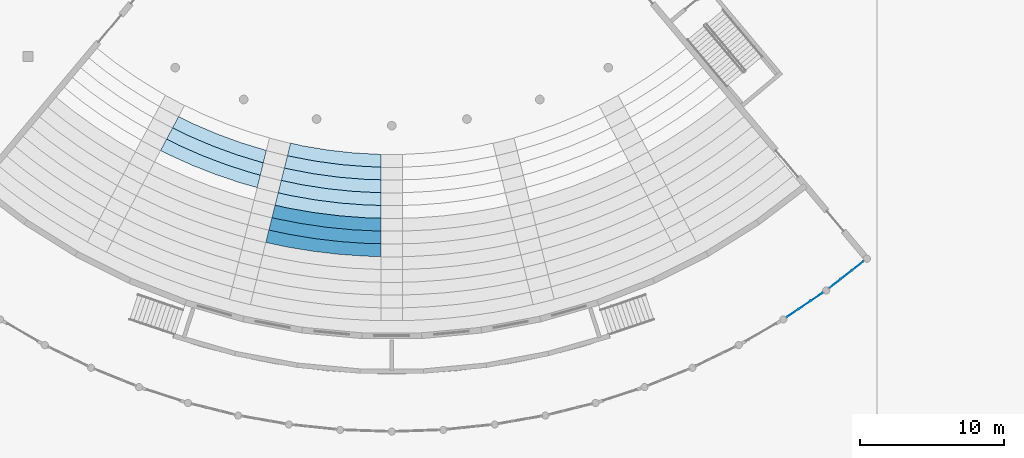
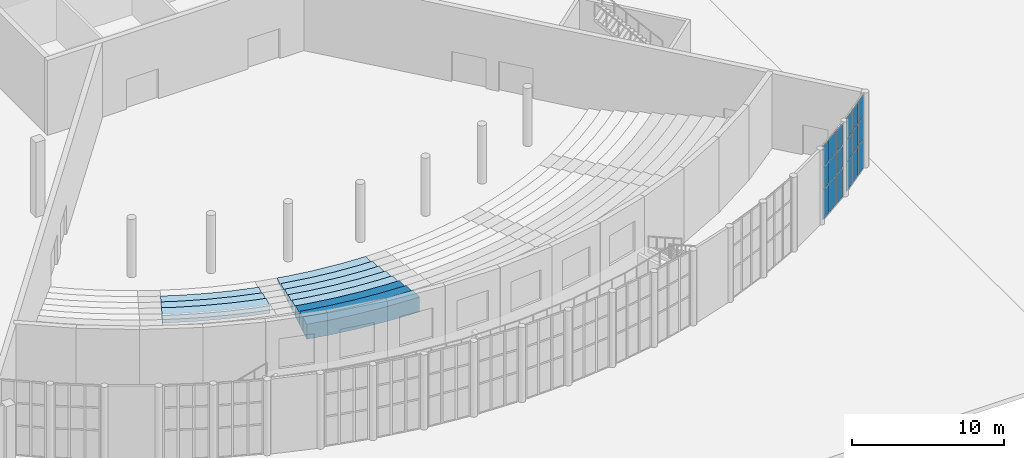
# One storey, part 88 of 210: 18 plates, 11 slabs, 2 elements without a shape of their own.
"""IFC4 building model written with IfcOpenShell, lengths in metres."""

from ifc_helpers import new_model, si_unit, direction, frame, origin, origin_2d, place, context, subcontext, project, spatial, polyline, rectangle, outline, extrude, material, layer, layer_set, type_object, element, aggregate, save


model = new_model("IFC4")

# Units and contexts
model_context = context("Model", 3, precision=1e-05, world=origin(), true_north=direction((0.0, 1.0)))
body_context = subcontext(model_context, "Body", "Model", "MODEL_VIEW")
ifc_project = project(units=[si_unit("LENGTHUNIT", "METRE"), si_unit("AREAUNIT", "SQUARE_METRE"), si_unit("VOLUMEUNIT", "CUBIC_METRE"), si_unit("PLANEANGLEUNIT", "RADIAN"), si_unit("MASSUNIT", "GRAM", prefix="KILO")], contexts=[model_context])

# Site, building, storey
site_placement = place(None, origin())
site = spatial("IfcSite", under=ifc_project, at=site_placement, CompositionType="ELEMENT")
building_placement = place(site_placement, origin())
building = spatial("IfcBuilding", under=site, at=building_placement, Name="Rain Tree Exposition and Congress Centre", CompositionType="ELEMENT")
storey_placement = place(building_placement, origin())
storey = spatial("IfcBuildingStorey", under=building, at=storey_placement, Name="L00", CompositionType="ELEMENT", Elevation=0.0)

# Curtain wall, plates
ifc_material_1 = material(Name="Aluminium", Category="aluminium")
ifc_layer_1 = layer(ifc_material_1, 0.10009765625)
ifc_layer_set_1 = layer_set([ifc_layer_1], Name="Aluminium")
curtain_wall_type = type_object("IfcCurtainWallType", Name="Curtain wall congress", PredefinedType="NOTDEFINED", material=ifc_layer_set_1)
curtain_wall_1_placement = place(storey_placement, origin())
curtain_wall_1 = element("IfcCurtainWall", 1, at=curtain_wall_1_placement, inside=storey, type_object=curtain_wall_type, Name="Curtain wall L00 bay 19", PredefinedType="NOTDEFINED")
ifc_material_2 = material(Name="Double glazed unit", Category="glass")
ifc_layer_2 = layer(ifc_material_2, 0.028076171875)
ifc_layer_set_2 = layer_set([ifc_layer_2], Name="Double glazed unit")
plate_type = type_object("IfcPlateType", Name="Glazing panel 28 congress", PredefinedType="CURTAIN_PANEL", material=ifc_layer_set_2)
plate_1_placement = place(storey_placement, frame((229.376220703125, 24.214599609375, 0.06005859375), z_axis=(0.0, 0.0, 1.0), x_axis=(0.829034948577, 0.559196793659, 0.0)))
plate_1 = element("IfcPlate", 2, at=plate_1_placement, type_object=plate_type, Name="CWG119 panel 1.1", PredefinedType="CURTAIN_PANEL", context=body_context, shape_type="SweptSolid", body=[
    extrude(rectangle(XDim=0.9345703125, YDim=0.028076171875, at=origin_2d()), origin(), (0.0, 0.0, 1.0), 2.31005859375),
])
plate_2_placement = place(storey_placement, frame((229.376220703125, 24.214599609375, 2.43017578125), z_axis=(0.0, 0.0, 1.0), x_axis=(0.829034948577, 0.559196793659, 0.0)))
plate_2 = element("IfcPlate", 3, at=plate_2_placement, type_object=plate_type, Name="CWG119 panel 1.2", PredefinedType="CURTAIN_PANEL", context=body_context, shape_type="SweptSolid", body=[
    extrude(rectangle(XDim=0.9345703125, YDim=0.028076171875, at=origin_2d()), origin(), (0.0, 0.0, 1.0), 1.739990234375),
])
plate_3_placement = place(storey_placement, frame((229.376220703125, 24.214599609375, 4.22998046875), z_axis=(0.0, 0.0, 1.0), x_axis=(0.829034948577, 0.559196793659, 0.0)))
plate_3 = element("IfcPlate", 4, at=plate_3_placement, type_object=plate_type, Name="CWG119 panel 1.3", PredefinedType="CURTAIN_PANEL", context=body_context, shape_type="SweptSolid", body=[
    extrude(rectangle(XDim=0.9345703125, YDim=0.028076171875, at=origin_2d()), origin(), (0.0, 0.0, 1.0), 1.7099609375),
])
plate_4_placement = place(storey_placement, frame((230.213134765625, 24.779052734375, 0.06005859375), z_axis=(0.0, 0.0, 1.0), x_axis=(0.829034948577, 0.559196793659, 0.0)))
plate_4 = element("IfcPlate", 5, at=plate_4_placement, type_object=plate_type, Name="CWG119 panel 2.1", PredefinedType="CURTAIN_PANEL", context=body_context, shape_type="SweptSolid", body=[
    extrude(rectangle(XDim=0.964599609375, YDim=0.028076171875, at=origin_2d()), origin(), (0.0, 0.0, 1.0), 2.31005859375),
])
plate_5_placement = place(storey_placement, frame((230.213134765625, 24.779052734375, 2.43017578125), z_axis=(0.0, 0.0, 1.0), x_axis=(0.829034948577, 0.559196793659, 0.0)))
plate_5 = element("IfcPlate", 6, at=plate_5_placement, type_object=plate_type, Name="CWG119 panel 2.2", PredefinedType="CURTAIN_PANEL", context=body_context, shape_type="SweptSolid", body=[
    extrude(rectangle(XDim=0.964599609375, YDim=0.028076171875, at=origin_2d()), origin(), (0.0, 0.0, 1.0), 1.739990234375),
])
plate_6_placement = place(storey_placement, frame((230.213134765625, 24.779052734375, 4.22998046875), z_axis=(0.0, 0.0, 1.0), x_axis=(0.829034948577, 0.559196793659, 0.0)))
plate_6 = element("IfcPlate", 7, at=plate_6_placement, type_object=plate_type, Name="CWG119 panel 2.3", PredefinedType="CURTAIN_PANEL", context=body_context, shape_type="SweptSolid", body=[
    extrude(rectangle(XDim=0.964599609375, YDim=0.028076171875, at=origin_2d()), origin(), (0.0, 0.0, 1.0), 1.7099609375),
])
plate_7_placement = place(storey_placement, frame((231.050048828125, 25.34375, 0.06005859375), z_axis=(0.0, 0.0, 1.0), x_axis=(0.829034948577, 0.559196793659, 0.0)))
plate_7 = element("IfcPlate", 8, at=plate_7_placement, type_object=plate_type, Name="CWG119 panel 3.1", PredefinedType="CURTAIN_PANEL", context=body_context, shape_type="SweptSolid", body=[
    extrude(rectangle(XDim=0.9345703125, YDim=0.028076171875, at=origin_2d()), origin(), (0.0, 0.0, 1.0), 2.31005859375),
])
plate_8_placement = place(storey_placement, frame((231.050048828125, 25.34375, 2.43017578125), z_axis=(0.0, 0.0, 1.0), x_axis=(0.829034948577, 0.559196793659, 0.0)))
plate_8 = element("IfcPlate", 9, at=plate_8_placement, type_object=plate_type, Name="CWG119 panel 3.2", PredefinedType="CURTAIN_PANEL", context=body_context, shape_type="SweptSolid", body=[
    extrude(rectangle(XDim=0.9345703125, YDim=0.028076171875, at=origin_2d()), origin(), (0.0, 0.0, 1.0), 1.739990234375),
])
plate_9_placement = place(storey_placement, frame((231.050048828125, 25.34375, 4.22998046875), z_axis=(0.0, 0.0, 1.0), x_axis=(0.829034948577, 0.559196793659, 0.0)))
plate_9 = element("IfcPlate", 10, at=plate_9_placement, type_object=plate_type, Name="CWG119 panel 3.3", PredefinedType="CURTAIN_PANEL", context=body_context, shape_type="SweptSolid", body=[
    extrude(rectangle(XDim=0.9345703125, YDim=0.028076171875, at=origin_2d()), origin(), (0.0, 0.0, 1.0), 1.7099609375),
])
aggregate(curtain_wall_1, [plate_1, plate_2, plate_3, plate_4, plate_5, plate_6, plate_7, plate_8, plate_9])

curtain_wall_2_placement = place(storey_placement, origin())
curtain_wall_2 = element("IfcCurtainWall", 11, at=curtain_wall_2_placement, inside=storey, type_object=curtain_wall_type, Name="Curtain wall L00 bay 20", PredefinedType="NOTDEFINED")
plate_10_placement = place(storey_placement, frame((232.30712890625, 26.2568359375, 0.06005859375), z_axis=(0.0, 0.0, 1.0), x_axis=(0.788003164084, 0.615671189348, 0.0)))
plate_10 = element("IfcPlate", 12, at=plate_10_placement, type_object=plate_type, Name="CWG120 panel 1.1", PredefinedType="CURTAIN_PANEL", context=body_context, shape_type="SweptSolid", body=[
    extrude(rectangle(XDim=0.9345703125, YDim=0.028076171875, at=origin_2d()), origin(), (0.0, 0.0, 1.0), 2.31005859375),
])
plate_11_placement = place(storey_placement, frame((232.30712890625, 26.2568359375, 2.43017578125), z_axis=(0.0, 0.0, 1.0), x_axis=(0.788003164084, 0.615671189348, 0.0)))
plate_11 = element("IfcPlate", 13, at=plate_11_placement, type_object=plate_type, Name="CWG120 panel 1.2", PredefinedType="CURTAIN_PANEL", context=body_context, shape_type="SweptSolid", body=[
    extrude(rectangle(XDim=0.9345703125, YDim=0.028076171875, at=origin_2d()), origin(), (0.0, 0.0, 1.0), 1.739990234375),
])
plate_12_placement = place(storey_placement, frame((232.30712890625, 26.2568359375, 4.22998046875), z_axis=(0.0, 0.0, 1.0), x_axis=(0.788003164084, 0.615671189348, 0.0)))
plate_12 = element("IfcPlate", 14, at=plate_12_placement, type_object=plate_type, Name="CWG120 panel 1.3", PredefinedType="CURTAIN_PANEL", context=body_context, shape_type="SweptSolid", body=[
    extrude(rectangle(XDim=0.9345703125, YDim=0.028076171875, at=origin_2d()), origin(), (0.0, 0.0, 1.0), 1.7099609375),
])
plate_13_placement = place(storey_placement, frame((233.1025390625, 26.87841796875, 0.06005859375), z_axis=(0.0, 0.0, 1.0), x_axis=(0.788003164084, 0.615671189348, 0.0)))
plate_13 = element("IfcPlate", 15, at=plate_13_placement, type_object=plate_type, Name="CWG120 panel 2.1", PredefinedType="CURTAIN_PANEL", context=body_context, shape_type="SweptSolid", body=[
    extrude(rectangle(XDim=0.964599609375, YDim=0.028076171875, at=origin_2d()), origin(), (0.0, 0.0, 1.0), 2.31005859375),
])
plate_14_placement = place(storey_placement, frame((233.1025390625, 26.87841796875, 2.43017578125), z_axis=(0.0, 0.0, 1.0), x_axis=(0.788003164084, 0.615671189348, 0.0)))
plate_14 = element("IfcPlate", 16, at=plate_14_placement, type_object=plate_type, Name="CWG120 panel 2.2", PredefinedType="CURTAIN_PANEL", context=body_context, shape_type="SweptSolid", body=[
    extrude(rectangle(XDim=0.964599609375, YDim=0.028076171875, at=origin_2d()), origin(), (0.0, 0.0, 1.0), 1.739990234375),
])
plate_15_placement = place(storey_placement, frame((233.1025390625, 26.87841796875, 4.22998046875), z_axis=(0.0, 0.0, 1.0), x_axis=(0.788003164084, 0.615671189348, 0.0)))
plate_15 = element("IfcPlate", 17, at=plate_15_placement, type_object=plate_type, Name="CWG120 panel 2.3", PredefinedType="CURTAIN_PANEL", context=body_context, shape_type="SweptSolid", body=[
    extrude(rectangle(XDim=0.964599609375, YDim=0.028076171875, at=origin_2d()), origin(), (0.0, 0.0, 1.0), 1.7099609375),
])
plate_16_placement = place(storey_placement, frame((233.898193359375, 27.5, 0.06005859375), z_axis=(0.0, 0.0, 1.0), x_axis=(0.788003164084, 0.615671189348, 0.0)))
plate_16 = element("IfcPlate", 18, at=plate_16_placement, type_object=plate_type, Name="CWG120 panel 3.1", PredefinedType="CURTAIN_PANEL", context=body_context, shape_type="SweptSolid", body=[
    extrude(rectangle(XDim=0.9345703125, YDim=0.028076171875, at=origin_2d()), origin(), (0.0, 0.0, 1.0), 2.31005859375),
])
plate_17_placement = place(storey_placement, frame((233.898193359375, 27.5, 2.43017578125), z_axis=(0.0, 0.0, 1.0), x_axis=(0.788003164084, 0.615671189348, 0.0)))
plate_17 = element("IfcPlate", 19, at=plate_17_placement, type_object=plate_type, Name="CWG120 panel 3.2", PredefinedType="CURTAIN_PANEL", context=body_context, shape_type="SweptSolid", body=[
    extrude(rectangle(XDim=0.9345703125, YDim=0.028076171875, at=origin_2d()), origin(), (0.0, 0.0, 1.0), 1.739990234375),
])
plate_18_placement = place(storey_placement, frame((233.898193359375, 27.5, 4.22998046875), z_axis=(0.0, 0.0, 1.0), x_axis=(0.788003164084, 0.615671189348, 0.0)))
plate_18 = element("IfcPlate", 20, at=plate_18_placement, type_object=plate_type, Name="CWG120 panel 3.3", PredefinedType="CURTAIN_PANEL", context=body_context, shape_type="SweptSolid", body=[
    extrude(rectangle(XDim=0.9345703125, YDim=0.028076171875, at=origin_2d()), origin(), (0.0, 0.0, 1.0), 1.7099609375),
])
aggregate(curtain_wall_2, [plate_10, plate_11, plate_12, plate_13, plate_14, plate_15, plate_16, plate_17, plate_18])

# Slabs
ifc_material_3 = material(Name="Precast concrete C50/60", Category="concrete")
ifc_layer_3 = layer(ifc_material_3, 0.300048828125)
ifc_layer_set_3 = layer_set([ifc_layer_3], Name="Precast concrete C50/60")
slab_type = type_object("IfcSlabType", Name="Terrace step slab 300", PredefinedType="FLOOR", material=ifc_layer_set_3)
slab_1_placement = place(storey_placement, origin())
element("IfcSlab", 21, at=slab_1_placement, inside=storey, type_object=slab_type, Name="Stalls tier row 1", ObjectType="SEATING TIER", PredefinedType="USERDEFINED", context=body_context, shape_type="SweptSolid", body=[
    extrude(outline(polyline([(199.834716796875, 34.36181640625), (200.85009765625, 34.33447265625), (200.85009765625, 35.21240234375), (200.70654296875, 35.21240234375), (198.92236328125, 35.312255859375), (197.146484375, 35.511474609375), (195.384521484375, 35.809326171875), (194.59130859375, 35.989501953125), (194.375244140625, 35.123046875), (194.590087890625, 35.070068359375), (196.32470703125, 34.739990234375), (198.07470703125, 34.50390625), (199.834716796875, 34.36181640625)])), origin(), (0.0, 0.0, 1.0), 0.14990234375),
])
slab_2_placement = place(storey_placement, origin())
element("IfcSlab", 22, at=slab_2_placement, inside=storey, type_object=slab_type, Name="Stalls tier row 2", ObjectType="SEATING TIER", PredefinedType="USERDEFINED", context=body_context, shape_type="SweptSolid", body=[
    extrude(outline(polyline([(192.640380859375, 34.638671875), (192.70458984375, 34.622802734375), (192.9189453125, 35.48193359375), (192.87548828125, 35.49267578125), (191.18603515625, 36.006591796875), (189.52685546875, 36.610595703125), (187.90234375, 37.302734375), (186.832275390625, 37.828125), (186.416259765625, 37.046142578125), (187.533447265625, 36.49755859375), (189.20166015625, 35.786865234375), (190.90576171875, 35.16650390625), (192.640380859375, 34.638671875)])), origin(), (0.0, 0.0, 1.0), 0.300048828125),
])
slab_3_placement = place(storey_placement, origin())
element("IfcSlab", 23, at=slab_3_placement, inside=storey, type_object=slab_type, Name="Stalls tier row 2", ObjectType="SEATING TIER", PredefinedType="USERDEFINED", context=body_context, shape_type="SweptSolid", body=[
    extrude(outline(polyline([(199.787353515625, 33.477294921875), (200.85009765625, 33.44873046875), (200.85009765625, 34.33447265625), (199.834716796875, 34.36181640625), (198.07470703125, 34.50390625), (196.32470703125, 34.739990234375), (194.590087890625, 35.070068359375), (194.375244140625, 35.123046875), (194.1611328125, 34.263916015625), (194.401123046875, 34.20458984375), (196.1826171875, 33.865966796875), (197.979736328125, 33.623291015625), (199.787353515625, 33.477294921875)])), origin(), (0.0, 0.0, 1.0), 0.300048828125),
])
slab_4_placement = place(storey_placement, origin())
element("IfcSlab", 24, at=slab_4_placement, inside=storey, type_object=slab_type, Name="Stalls tier row 3", ObjectType="SEATING TIER", PredefinedType="USERDEFINED", context=body_context, shape_type="SweptSolid", body=[
    extrude(outline(polyline([(191.875, 33.935302734375), (192.492431640625, 33.77197265625), (192.70458984375, 34.622802734375), (192.640380859375, 34.638671875), (190.90576171875, 35.16650390625), (189.20166015625, 35.786865234375), (187.533447265625, 36.49755859375), (186.416259765625, 37.046142578125), (186.0009765625, 36.264892578125), (186.851806640625, 35.83740234375), (188.49267578125, 35.1171875), (190.168701171875, 34.482421875), (191.875, 33.935302734375)])), origin(), (0.0, 0.0, 1.0), 0.449951171875),
])
slab_5_placement = place(storey_placement, origin())
element("IfcSlab", 25, at=slab_5_placement, inside=storey, type_object=slab_type, Name="Stalls tier row 3", ObjectType="SEATING TIER", PredefinedType="USERDEFINED", context=body_context, shape_type="SweptSolid", body=[
    extrude(outline(polyline([(200.7041015625, 32.554443359375), (200.85009765625, 32.554443359375), (200.85009765625, 33.44873046875), (199.787353515625, 33.477294921875), (197.979736328125, 33.623291015625), (196.1826171875, 33.865966796875), (194.401123046875, 34.20458984375), (194.1611328125, 34.263916015625), (193.947021484375, 33.40576171875), (195.361328125, 33.10888671875), (197.1318359375, 32.83203125), (198.914306640625, 32.647216796875), (200.7041015625, 32.554443359375)])), origin(), (0.0, 0.0, 1.0), 0.449951171875),
])
slab_6_placement = place(storey_placement, origin())
element("IfcSlab", 26, at=slab_6_placement, inside=storey, type_object=slab_type, Name="Stalls tier row 4", ObjectType="SEATING TIER", PredefinedType="USERDEFINED", context=body_context, shape_type="SweptSolid", body=[
    extrude(outline(polyline([(191.12353515625, 33.236083984375), (192.27783203125, 32.911376953125), (192.492431640625, 33.77197265625), (191.875, 33.935302734375), (190.168701171875, 34.482421875), (188.49267578125, 35.1171875), (186.851806640625, 35.83740234375), (186.0009765625, 36.264892578125), (185.58447265625, 35.481689453125), (186.178466796875, 35.177001953125), (187.7939453125, 34.447998046875), (189.443603515625, 33.800537109375), (191.12353515625, 33.236083984375)])), origin(), (0.0, 0.0, 1.0), 0.60009765625),
])
slab_7_placement = place(storey_placement, origin())
element("IfcSlab", 27, at=slab_7_placement, inside=storey, type_object=slab_type, Name="Stalls tier row 4", ObjectType="SEATING TIER", PredefinedType="USERDEFINED", context=body_context, shape_type="SweptSolid", body=[
    extrude(outline(polyline([(199.828369140625, 31.701416015625), (200.85009765625, 31.67578125), (200.85009765625, 32.554443359375), (200.7041015625, 32.554443359375), (198.914306640625, 32.647216796875), (197.1318359375, 32.83203125), (195.361328125, 33.10888671875), (193.947021484375, 33.40576171875), (193.733642578125, 32.5498046875), (194.557373046875, 32.36181640625), (196.302490234375, 32.05419921875), (198.06103515625, 31.833740234375), (199.828369140625, 31.701416015625)])), origin(), (0.0, 0.0, 1.0), 0.60009765625),
])
slab_8_placement = place(storey_placement, origin())
element("IfcSlab", 28, at=slab_8_placement, inside=storey, type_object=slab_type, Name="Stalls tier row 5", ObjectType="SEATING TIER", PredefinedType="USERDEFINED", context=body_context, shape_type="SweptSolid", body=[
    extrude(outline(polyline([(199.7841796875, 30.816650390625), (200.85009765625, 30.7900390625), (200.85009765625, 31.67578125), (199.828369140625, 31.701416015625), (198.06103515625, 31.833740234375), (196.302490234375, 32.05419921875), (194.557373046875, 32.36181640625), (193.733642578125, 32.5498046875), (193.51953125, 31.6904296875), (194.3818359375, 31.49365234375), (196.170654296875, 31.17822265625), (197.972900390625, 30.952392578125), (199.7841796875, 30.816650390625)])), origin(), (0.0, 0.0, 1.0), 0.75),
])
slab_9_placement = place(storey_placement, origin())
element("IfcSlab", 29, at=slab_9_placement, inside=storey, type_object=slab_type, Name="Stalls tier row 6", ObjectType="SEATING TIER", PredefinedType="USERDEFINED", context=body_context, shape_type="SweptSolid", body=[
    extrude(outline(polyline([(200.701904296875, 29.896484375), (200.85009765625, 29.896484375), (200.85009765625, 30.7900390625), (199.7841796875, 30.816650390625), (197.972900390625, 30.952392578125), (196.170654296875, 31.17822265625), (194.3818359375, 31.49365234375), (193.51953125, 31.6904296875), (193.3037109375, 30.825439453125), (193.57861328125, 30.758056640625), (195.341796875, 30.414306640625), (197.119384765625, 30.15576171875), (198.907470703125, 29.98291015625), (200.701904296875, 29.896484375)])), origin(), (0.0, 0.0, 1.0), 0.89990234375),
])
slab_10_placement = place(storey_placement, origin())
element("IfcSlab", 30, at=slab_10_placement, inside=storey, type_object=slab_type, Name="Stalls tier row 7", ObjectType="SEATING TIER", PredefinedType="USERDEFINED", context=body_context, shape_type="SweptSolid", body=[
    extrude(outline(polyline([(199.82275390625, 29.04150390625), (200.85009765625, 29.017578125), (200.85009765625, 29.896484375), (200.701904296875, 29.896484375), (198.907470703125, 29.98291015625), (197.119384765625, 30.15576171875), (195.341796875, 30.414306640625), (193.57861328125, 30.758056640625), (193.3037109375, 30.825439453125), (193.089599609375, 29.966064453125), (194.529296875, 29.66015625), (196.28369140625, 29.371826171875), (198.04931640625, 29.165283203125), (199.82275390625, 29.04150390625)])), origin(), (0.0, 0.0, 1.0), 1.050048828125),
])
slab_11_placement = place(storey_placement, origin())
element("IfcSlab", 31, at=slab_11_placement, inside=storey, type_object=slab_type, Name="Stalls tier row 8", ObjectType="SEATING TIER", PredefinedType="USERDEFINED", context=body_context, shape_type="SweptSolid", body=[
    extrude(outline(polyline([(199.781494140625, 28.156494140625), (200.85009765625, 28.131591796875), (200.85009765625, 29.017578125), (199.82275390625, 29.04150390625), (198.04931640625, 29.165283203125), (196.28369140625, 29.371826171875), (194.529296875, 29.66015625), (193.089599609375, 29.966064453125), (192.875244140625, 29.1064453125), (194.365478515625, 28.789794921875), (196.160400390625, 28.49462890625), (197.967041015625, 28.283447265625), (199.781494140625, 28.156494140625)])), origin(), (0.0, 0.0, 1.0), 1.199951171875),
])

save(model, "model.ifc")
